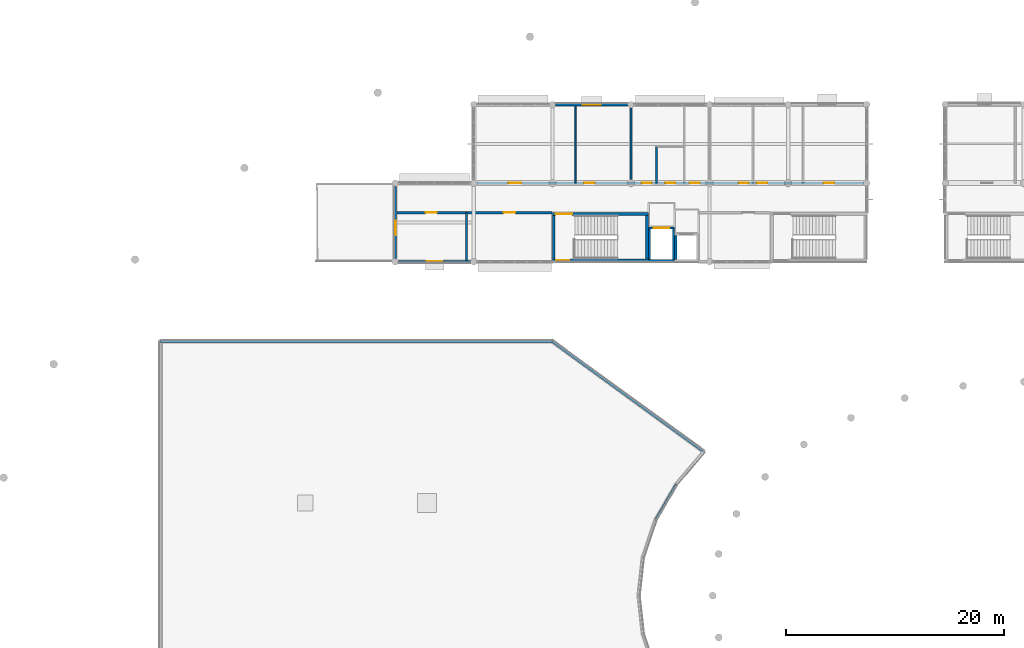
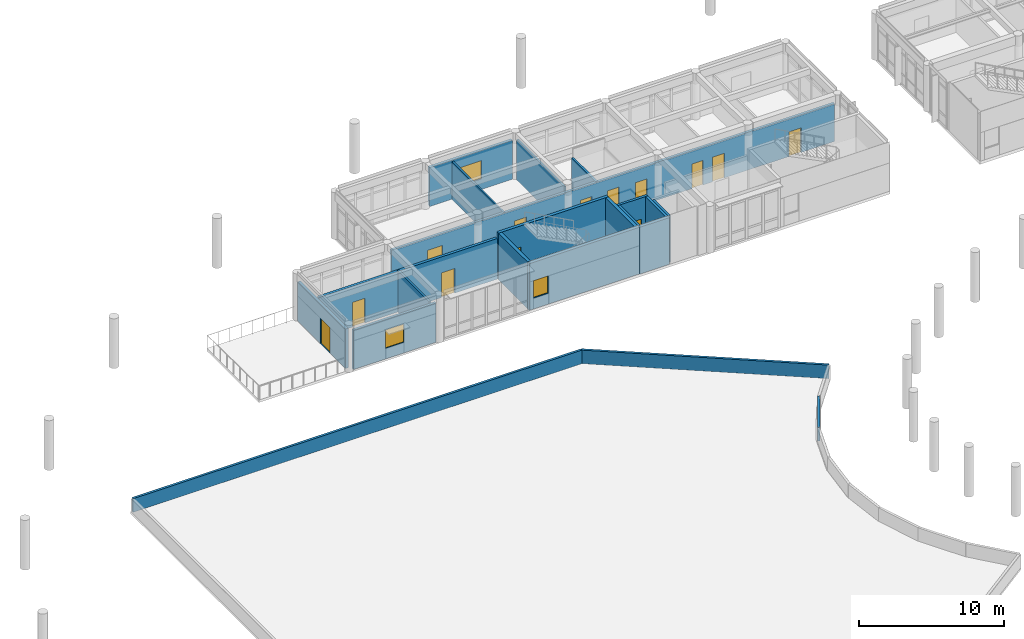
# One storey, part 26 of 55: 21 walls, 13 doors, 3 windows, 16 openings.
"""IFC4 building model written with IfcOpenShell, lengths in metres."""

from ifc_helpers import new_model, si_unit, direction, frame, frame_2d, origin, place, context, subcontext, project, spatial, rectangle, extrude, material, layer, layer_set, type_object, element, fill, save


model = new_model("IFC4")

# Units and contexts
model_context = context("Model", 3, precision=1e-05, world=origin(), true_north=direction((0.0, 1.0)))
body_context = subcontext(model_context, "Body", "Model", "MODEL_VIEW")
ifc_project = project(units=[si_unit("LENGTHUNIT", "METRE"), si_unit("AREAUNIT", "SQUARE_METRE"), si_unit("VOLUMEUNIT", "CUBIC_METRE"), si_unit("PLANEANGLEUNIT", "RADIAN"), si_unit("MASSUNIT", "GRAM", prefix="KILO")], contexts=[model_context])

# Site, building, storey
site_placement = place(None, origin())
site = spatial("IfcSite", under=ifc_project, at=site_placement, CompositionType="ELEMENT")
building_placement = place(site_placement, origin())
building = spatial("IfcBuilding", under=site, at=building_placement, Name="Namkhue Oval Health Centre", CompositionType="ELEMENT")
storey_placement = place(building_placement, frame((0.0, 0.0, 9.60009765625)))
storey = spatial("IfcBuildingStorey", under=building, at=storey_placement, Name="L02", CompositionType="ELEMENT", Elevation=9.60009765625)

# Wall, opening, window
ifc_material_1 = material(Name="Autoclaved aerated concrete blockwork M7.5", Category="masonry")
ifc_layer_1 = layer(ifc_material_1, 0.18994140625)
ifc_layer_set_1 = layer_set([ifc_layer_1], Name="Autoclaved aerated concrete blockwork M7.5")
wall_type_1 = type_object("IfcWallType", Name="EXTERIOR ENVELOPE WALL 190", PredefinedType="STANDARD", material=ifc_layer_set_1)
wall_1_placement = place(storey_placement, frame((43.4951171875, 90.0, 0.0), z_axis=(0.0, 0.0, 1.0), x_axis=(1.0, 0.0, 0.0)))
wall_1 = element("IfcWall", 1, at=wall_1_placement, inside=storey, type_object=wall_type_1, Name="Volume V2 L02 Exterior Envelope Wall 34", PredefinedType="STANDARD", context=body_context, shape_type="SweptSolid", body=[
    extrude(rectangle(XDim=6.60986328125, YDim=0.18994140625, at=frame_2d((3.304931640625, 0.0))), origin(), (0.0, 0.0, 1.0), 3.327880859375),
])
opening_1_placement = place(wall_1_placement, frame((2.580078125, 0.0, 0.89990234375)))
opening_1 = element("IfcOpeningElement", 2, at=opening_1_placement, cuts=wall_1, Name="Opening WN-24", PredefinedType="OPENING", context=body_context, shape_type="SweptSolid", body=[
    extrude(rectangle(XDim=1.449951171875, YDim=1.5400390625, at=frame_2d((0.72509765625, 0.77001953125))), frame((0.0, 0.10498046875, 0.0), z_axis=(0.0, -1.0, 0.0), x_axis=(1.0, 0.0, 0.0)), (0.0, 0.0, 1.0), 0.2099609375),
])
ifc_material_2 = material(Name="Thermally broken low-E laminated double glazing", Category="glass")
window_type_1 = type_object("IfcWindowType", Name="EXTERIOR WINDOW 1450X1540", PartitioningType="SINGLE_PANEL", PredefinedType="WINDOW", material=ifc_material_2)
window_1_placement = place(opening_1_placement, origin())
window_1 = element("IfcWindow", 3, at=window_1_placement, inside=storey, type_object=window_type_1, Name="Volume V2 L02 Exterior Window 24", OverallHeight=1.5400390625, OverallWidth=1.449951171875, PartitioningType="SINGLE_PANEL", PredefinedType="WINDOW", context=body_context, shape_type="SweptSolid", body=[
    extrude(rectangle(XDim=1.449951171875, YDim=1.5400390625, at=frame_2d((0.72509765625, 0.77001953125))), frame((0.0, 0.030029296875, 0.0), z_axis=(0.0, -1.0, 0.0), x_axis=(1.0, 0.0, 0.0)), (0.0, 0.0, 1.0), 0.06005859375),
])
fill(opening_1, window_1)

ifc_layer_2 = layer(ifc_material_1, 0.219970703125)
ifc_layer_set_2 = layer_set([ifc_layer_2], Name="Autoclaved aerated concrete blockwork M7.5")
wall_type_2 = type_object("IfcWallType", Name="EXTERIOR ENVELOPE WALL 220", PredefinedType="STANDARD", material=ifc_layer_set_2)
wall_2_placement = place(storey_placement, frame((64.5048828125, 104.39990234375, 0.0), z_axis=(0.0, 0.0, 1.0), x_axis=(-1.0, 0.0, 0.0)))
wall_2 = element("IfcWall", 4, at=wall_2_placement, inside=storey, type_object=wall_type_2, Name="Volume V2 L02 Exterior Envelope Wall 37", PredefinedType="STANDARD", context=body_context, shape_type="SweptSolid", body=[
    extrude(rectangle(XDim=6.60986328125, YDim=0.219970703125, at=frame_2d((3.304931640625, 0.0))), origin(), (0.0, 0.0, 1.0), 3.2998046875),
])
opening_2_placement = place(wall_2_placement, frame((2.47998046875, 0.0, 0.89990234375)))
opening_2 = element("IfcOpeningElement", 5, at=opening_2_placement, cuts=wall_2, Name="Opening WN-26", PredefinedType="OPENING", context=body_context, shape_type="SweptSolid", body=[
    extrude(rectangle(XDim=1.64990234375, YDim=1.5400390625, at=frame_2d((0.824951171875, 0.77001953125))), frame((0.0, 0.119873046875, 0.0), z_axis=(0.0, -1.0, 0.0), x_axis=(1.0, 0.0, 0.0)), (0.0, 0.0, 1.0), 0.239990234375),
])
window_type_2 = type_object("IfcWindowType", Name="EXTERIOR WINDOW 1650X1540", PartitioningType="SINGLE_PANEL", PredefinedType="WINDOW", material=ifc_material_2)
window_2_placement = place(opening_2_placement, origin())
window_2 = element("IfcWindow", 6, at=window_2_placement, inside=storey, type_object=window_type_2, Name="Volume V2 L02 Exterior Window 26", OverallHeight=1.5400390625, OverallWidth=1.64990234375, PartitioningType="SINGLE_PANEL", PredefinedType="WINDOW", context=body_context, shape_type="SweptSolid", body=[
    extrude(rectangle(XDim=1.64990234375, YDim=1.5400390625, at=frame_2d((0.824951171875, 0.77001953125))), frame((0.0, 0.030029296875, 0.0), z_axis=(0.0, -1.0, 0.0), x_axis=(1.0, 0.0, 0.0)), (0.0, 0.0, 1.0), 0.06005859375),
])
fill(opening_2, window_2)

# Wall, opening, door
ifc_layer_3 = layer(ifc_material_1, 0.22998046875)
ifc_layer_set_3 = layer_set([ifc_layer_3], Name="Autoclaved aerated concrete blockwork M7.5")
wall_type_3 = type_object("IfcWallType", Name="EXTERIOR ENVELOPE WALL 230", PredefinedType="STANDARD", material=ifc_layer_set_3)
wall_3_placement = place(storey_placement, frame((43.199951171875, 96.905029296875, 0.0), z_axis=(0.0, 0.0, 1.0), x_axis=(0.0, -1.0, 0.0)))
wall_3 = element("IfcWall", 7, at=wall_3_placement, inside=storey, type_object=wall_type_3, Name="Volume V2 L02 Exterior Envelope Wall 38", PredefinedType="STANDARD", context=body_context, shape_type="SweptSolid", body=[
    extrude(rectangle(XDim=6.610107421875, YDim=0.22998046875, at=frame_2d((3.30517578125, 0.0))), origin(), (0.0, 0.0, 1.0), 3.327880859375),
])
opening_3_placement = place(wall_3_placement, frame((3.125, 0.0, 0.0)))
opening_3 = element("IfcOpeningElement", 8, at=opening_3_placement, cuts=wall_3, Name="Opening TD-02", PredefinedType="OPENING", context=body_context, shape_type="SweptSolid", body=[
    extrude(rectangle(XDim=1.360107421875, YDim=2.159912109375, at=frame_2d((0.68017578125, 1.080078125))), frame((0.0, 0.125, 0.0), z_axis=(0.0, -1.0, 0.0), x_axis=(1.0, 0.0, 0.0)), (0.0, 0.0, 1.0), 0.25),
])
ifc_material_3 = material(Name="Anodised aluminium glazed entrance door", Category="aluminium")
door_type_1 = type_object("IfcDoorType", Name="TERRACE DOOR 1360X2160", OperationType="DOUBLE_DOOR_SINGLE_SWING", PredefinedType="DOOR", material=ifc_material_3)
door_1_placement = place(opening_3_placement, frame((1.360107421875, 0.0, 0.0), z_axis=(0.0, 0.0, 1.0), x_axis=(-1.0, 0.0, 0.0)))
door_1 = element("IfcDoor", 9, at=door_1_placement, inside=storey, type_object=door_type_1, Name="Volume V2 L02 Roof Terrace Door 2", OperationType="DOUBLE_DOOR_SINGLE_SWING", OverallHeight=2.159912109375, OverallWidth=1.360107421875, PredefinedType="DOOR", context=body_context, shape_type="SweptSolid", body=[
    extrude(rectangle(XDim=1.360107421875, YDim=2.159912109375, at=frame_2d((0.68017578125, 1.080078125))), frame((0.0, 0.02490234375, 0.0), z_axis=(0.0, -1.0, 0.0), x_axis=(1.0, 0.0, 0.0)), (0.0, 0.0, 1.0), 0.050048828125),
])
fill(opening_3, door_1)

# Wall, openings, doors
ifc_material_4 = material(Name="Gypsum plasterboard acoustic partition", Category="gypsum")
ifc_layer_4 = layer(ifc_material_4, 0.205078125)
ifc_layer_set_4 = layer_set([ifc_layer_4], Name="Gypsum plasterboard acoustic partition")
wall_type_4 = type_object("IfcWallType", Name="FIRE PARTITION WALL 205", PredefinedType="PARTITIONING", material=ifc_layer_set_4)
wall_4_placement = place(storey_placement, frame((50.699951171875, 97.199951171875, 0.0), z_axis=(0.0, 0.0, 1.0), x_axis=(1.0, 0.0, 0.0)))
wall_4 = element("IfcWall", 10, at=wall_4_placement, inside=storey, type_object=wall_type_4, Name="Volume V2 L02 Clinical Partition Wall 60", PredefinedType="PARTITIONING", context=body_context, shape_type="SweptSolid", body=[
    extrude(rectangle(XDim=35.400146484375, YDim=0.205078125, at=frame_2d((17.7001953125, 0.0))), origin(), (0.0, 0.0, 1.0), 3.199951171875),
])
opening_4_placement = place(wall_4_placement, frame((2.873046875, 0.0, 0.0)))
opening_4 = element("IfcOpeningElement", 11, at=opening_4_placement, cuts=wall_4, Name="Opening CD-18", PredefinedType="OPENING", context=body_context, shape_type="SweptSolid", body=[
    extrude(rectangle(XDim=1.179931640625, YDim=2.179931640625, at=frame_2d((0.58984375, 1.08984375))), frame((0.0, 0.112548828125, 0.0), z_axis=(0.0, -1.0, 0.0), x_axis=(1.0, 0.0, 0.0)), (0.0, 0.0, 1.0), 0.22509765625),
])
opening_5_placement = place(wall_4_placement, frame((9.81591796875, 0.0, 0.0)))
opening_5 = element("IfcOpeningElement", 12, at=opening_5_placement, cuts=wall_4, Name="Opening CD-19", PredefinedType="OPENING", context=body_context, shape_type="SweptSolid", body=[
    extrude(rectangle(XDim=0.9599609375, YDim=2.22998046875, at=frame_2d((0.47998046875, 1.114990234375))), frame((0.0, 0.112548828125, 0.0), z_axis=(0.0, -1.0, 0.0), x_axis=(1.0, 0.0, 0.0)), (0.0, 0.0, 1.0), 0.22509765625),
])
opening_6_placement = place(wall_4_placement, frame((15.090087890625, 0.0, 0.0)))
opening_6 = element("IfcOpeningElement", 13, at=opening_6_placement, cuts=wall_4, Name="Opening CD-07", PredefinedType="OPENING", context=body_context, shape_type="SweptSolid", body=[
    extrude(rectangle(XDim=0.89990234375, YDim=2.1298828125, at=frame_2d((0.449951171875, 1.06494140625))), frame((0.0, 0.112548828125, 0.0), z_axis=(0.0, -1.0, 0.0), x_axis=(1.0, 0.0, 0.0)), (0.0, 0.0, 1.0), 0.22509765625),
])
opening_7_placement = place(wall_4_placement, frame((17.25, 0.0, 0.0)))
opening_7 = element("IfcOpeningElement", 14, at=opening_7_placement, cuts=wall_4, Name="Opening CD-13", PredefinedType="OPENING", context=body_context, shape_type="SweptSolid", body=[
    extrude(rectangle(XDim=0.919921875, YDim=2.179931640625, at=frame_2d((0.4599609375, 1.08984375))), frame((0.0, 0.112548828125, 0.0), z_axis=(0.0, -1.0, 0.0), x_axis=(1.0, 0.0, 0.0)), (0.0, 0.0, 1.0), 0.22509765625),
])
opening_8_placement = place(wall_4_placement, frame((19.469970703125, 0.0, 0.0)))
opening_8 = element("IfcOpeningElement", 15, at=opening_8_placement, cuts=wall_4, Name="Opening CD-02", PredefinedType="OPENING", context=body_context, shape_type="SweptSolid", body=[
    extrude(rectangle(XDim=0.93994140625, YDim=2.080078125, at=frame_2d((0.469970703125, 1.0400390625))), frame((0.0, 0.112548828125, 0.0), z_axis=(0.0, -1.0, 0.0), x_axis=(1.0, 0.0, 0.0)), (0.0, 0.0, 1.0), 0.22509765625),
])
opening_9_placement = place(wall_4_placement, frame((23.987060546875, 0.0, 0.0)))
opening_9 = element("IfcOpeningElement", 16, at=opening_9_placement, cuts=wall_4, Name="Opening CD-01", PredefinedType="OPENING", context=body_context, shape_type="SweptSolid", body=[
    extrude(rectangle(XDim=0.89990234375, YDim=2.080078125, at=frame_2d((0.449951171875, 1.0400390625))), frame((0.0, 0.112548828125, 0.0), z_axis=(0.0, -1.0, 0.0), x_axis=(1.0, 0.0, 0.0)), (0.0, 0.0, 1.0), 0.22509765625),
])
opening_10_placement = place(wall_4_placement, frame((25.64697265625, 0.0, 0.0)))
opening_10 = element("IfcOpeningElement", 17, at=opening_10_placement, cuts=wall_4, Name="Opening CD-02", PredefinedType="OPENING", context=body_context, shape_type="SweptSolid", body=[
    extrude(rectangle(XDim=0.93994140625, YDim=2.080078125, at=frame_2d((0.469970703125, 1.0400390625))), frame((0.0, 0.112548828125, 0.0), z_axis=(0.0, -1.0, 0.0), x_axis=(1.0, 0.0, 0.0)), (0.0, 0.0, 1.0), 0.22509765625),
])
opening_11_placement = place(wall_4_placement, frame((31.7490234375, 0.0, 0.0)))
opening_11 = element("IfcOpeningElement", 18, at=opening_11_placement, cuts=wall_4, Name="Opening CD-03", PredefinedType="OPENING", context=body_context, shape_type="SweptSolid", body=[
    extrude(rectangle(XDim=0.97998046875, YDim=2.080078125, at=frame_2d((0.489990234375, 1.0400390625))), frame((0.0, 0.112548828125, 0.0), z_axis=(0.0, -1.0, 0.0), x_axis=(1.0, 0.0, 0.0)), (0.0, 0.0, 1.0), 0.22509765625),
])
ifc_material_5 = material(Name="High-pressure laminate timber clinical door", Category="wood")
door_type_2 = type_object("IfcDoorType", Name="CLINICAL DOOR 1180X2180", OperationType="NOTDEFINED", PredefinedType="DOOR", material=ifc_material_5)
door_2_placement = place(opening_4_placement, origin())
door_2 = element("IfcDoor", 19, at=door_2_placement, inside=storey, type_object=door_type_2, Name="Volume V2 L02 Chronic Disease Clinic Door 46", OperationType="SINGLE_SWING_RIGHT", OverallHeight=2.179931640625, OverallWidth=1.179931640625, PredefinedType="DOOR", context=body_context, shape_type="SweptSolid", body=[
    extrude(rectangle(XDim=1.179931640625, YDim=2.179931640625, at=frame_2d((0.58984375, 1.08984375))), frame((0.0, 0.02490234375, 0.0), z_axis=(0.0, -1.0, 0.0), x_axis=(1.0, 0.0, 0.0)), (0.0, 0.0, 1.0), 0.050048828125),
])
fill(opening_4, door_2)
door_type_3 = type_object("IfcDoorType", Name="CLINICAL DOOR 900X2080", OperationType="NOTDEFINED", PredefinedType="DOOR", material=ifc_material_5)
door_3_placement = place(opening_9_placement, origin())
door_3 = element("IfcDoor", 20, at=door_3_placement, inside=storey, type_object=door_type_3, Name="Volume V2 L02 Geriatric Examination Room Door 51", OperationType="SINGLE_SWING_LEFT", OverallHeight=2.080078125, OverallWidth=0.89990234375, PredefinedType="DOOR", context=body_context, shape_type="SweptSolid", body=[
    extrude(rectangle(XDim=0.89990234375, YDim=2.080078125, at=frame_2d((0.449951171875, 1.0400390625))), frame((0.0, 0.02490234375, 0.0), z_axis=(0.0, -1.0, 0.0), x_axis=(1.0, 0.0, 0.0)), (0.0, 0.0, 1.0), 0.050048828125),
])
fill(opening_9, door_3)
door_type_4 = type_object("IfcDoorType", Name="CLINICAL DOOR 900X2130", OperationType="NOTDEFINED", PredefinedType="DOOR", material=ifc_material_5)
door_4_placement = place(opening_6_placement, origin())
door_4 = element("IfcDoor", 21, at=door_4_placement, inside=storey, type_object=door_type_4, Name="Volume V2 L02 Soiled Sluice Utility Room Door 48", OperationType="SINGLE_SWING_RIGHT", OverallHeight=2.1298828125, OverallWidth=0.89990234375, PredefinedType="DOOR", context=body_context, shape_type="SweptSolid", body=[
    extrude(rectangle(XDim=0.89990234375, YDim=2.1298828125, at=frame_2d((0.449951171875, 1.06494140625))), frame((0.0, 0.02490234375, 0.0), z_axis=(0.0, -1.0, 0.0), x_axis=(1.0, 0.0, 0.0)), (0.0, 0.0, 1.0), 0.050048828125),
])
fill(opening_6, door_4)
door_type_5 = type_object("IfcDoorType", Name="CLINICAL DOOR 920X2180", OperationType="NOTDEFINED", PredefinedType="DOOR", material=ifc_material_5)
door_5_placement = place(opening_7_placement, origin())
door_5 = element("IfcDoor", 22, at=door_5_placement, inside=storey, type_object=door_type_5, Name="Volume V2 L02 Accessible WC Door 49", OperationType="SINGLE_SWING_LEFT", OverallHeight=2.179931640625, OverallWidth=0.919921875, PredefinedType="DOOR", context=body_context, shape_type="SweptSolid", body=[
    extrude(rectangle(XDim=0.919921875, YDim=2.179931640625, at=frame_2d((0.4599609375, 1.08984375))), frame((0.0, 0.02490234375, 0.0), z_axis=(0.0, -1.0, 0.0), x_axis=(1.0, 0.0, 0.0)), (0.0, 0.0, 1.0), 0.050048828125),
])
fill(opening_7, door_5)
door_type_6 = type_object("IfcDoorType", Name="CLINICAL DOOR 940X2080", OperationType="NOTDEFINED", PredefinedType="DOOR", material=ifc_material_5)
door_6_placement = place(opening_8_placement, origin())
door_6 = element("IfcDoor", 23, at=door_6_placement, inside=storey, type_object=door_type_6, Name="Volume V2 L02 Public Washroom Door 50", OperationType="SINGLE_SWING_LEFT", OverallHeight=2.080078125, OverallWidth=0.93994140625, PredefinedType="DOOR", context=body_context, shape_type="SweptSolid", body=[
    extrude(rectangle(XDim=0.93994140625, YDim=2.080078125, at=frame_2d((0.469970703125, 1.0400390625))), frame((0.0, 0.02490234375, 0.0), z_axis=(0.0, -1.0, 0.0), x_axis=(1.0, 0.0, 0.0)), (0.0, 0.0, 1.0), 0.050048828125),
])
fill(opening_8, door_6)
door_7_placement = place(opening_10_placement, origin())
door_7 = element("IfcDoor", 24, at=door_7_placement, inside=storey, type_object=door_type_6, Name="Volume V2 L02 Respiratory Function Clinic Door 52", OperationType="SINGLE_SWING_RIGHT", OverallHeight=2.080078125, OverallWidth=0.93994140625, PredefinedType="DOOR", context=body_context, shape_type="SweptSolid", body=[
    extrude(rectangle(XDim=0.93994140625, YDim=2.080078125, at=frame_2d((0.469970703125, 1.0400390625))), frame((0.0, 0.02490234375, 0.0), z_axis=(0.0, -1.0, 0.0), x_axis=(1.0, 0.0, 0.0)), (0.0, 0.0, 1.0), 0.050048828125),
])
fill(opening_10, door_7)
door_type_7 = type_object("IfcDoorType", Name="CLINICAL DOOR 960X2230", OperationType="NOTDEFINED", PredefinedType="DOOR", material=ifc_material_5)
door_8_placement = place(opening_5_placement, origin())
door_8 = element("IfcDoor", 25, at=door_8_placement, inside=storey, type_object=door_type_7, Name="Volume V2 L02 Clean Linen Store Door 47", OperationType="SINGLE_SWING_LEFT", OverallHeight=2.22998046875, OverallWidth=0.9599609375, PredefinedType="DOOR", context=body_context, shape_type="SweptSolid", body=[
    extrude(rectangle(XDim=0.9599609375, YDim=2.22998046875, at=frame_2d((0.47998046875, 1.114990234375))), frame((0.0, 0.02490234375, 0.0), z_axis=(0.0, -1.0, 0.0), x_axis=(1.0, 0.0, 0.0)), (0.0, 0.0, 1.0), 0.050048828125),
])
fill(opening_5, door_8)
door_type_8 = type_object("IfcDoorType", Name="CLINICAL DOOR 980X2080", OperationType="NOTDEFINED", PredefinedType="DOOR", material=ifc_material_5)
door_9_placement = place(opening_11_placement, origin())
door_9 = element("IfcDoor", 26, at=door_9_placement, inside=storey, type_object=door_type_8, Name="Volume V2 L02 Minor Treatment Procedure Room Door 53", OperationType="SINGLE_SWING_LEFT", OverallHeight=2.080078125, OverallWidth=0.97998046875, PredefinedType="DOOR", context=body_context, shape_type="SweptSolid", body=[
    extrude(rectangle(XDim=0.97998046875, YDim=2.080078125, at=frame_2d((0.489990234375, 1.0400390625))), frame((0.0, 0.02490234375, 0.0), z_axis=(0.0, -1.0, 0.0), x_axis=(1.0, 0.0, 0.0)), (0.0, 0.0, 1.0), 0.050048828125),
])
fill(opening_11, door_9)

ifc_material_6 = material(Name="Lead-lined barium plasterboard radiation partition", Category="gypsum")
ifc_layer_5 = layer(ifc_material_6, 0.22509765625)
ifc_layer_set_5 = layer_set([ifc_layer_5], Name="Lead-lined barium plasterboard radiation partition")
wall_type_5 = type_object("IfcWallType", Name="FIRE PARTITION WALL 225", PredefinedType="PARTITIONING", material=ifc_layer_set_5)
wall_5_placement = place(storey_placement, frame((43.3369140625, 94.5, 0.0), z_axis=(0.0, 0.0, 1.0), x_axis=(1.0, 0.0, 0.0)))
wall_5 = element("IfcWall", 27, at=wall_5_placement, inside=storey, type_object=wall_type_5, Name="Volume V2 L02 Clinical Partition Wall 69", PredefinedType="PARTITIONING", context=body_context, shape_type="SweptSolid", body=[
    extrude(rectangle(XDim=14.2431640625, YDim=0.22509765625, at=frame_2d((7.12158203125, 0.0))), origin(), (0.0, 0.0, 1.0), 3.427978515625),
])
opening_12_placement = place(wall_5_placement, frame((2.655029296875, 0.0, 0.0)))
opening_12 = element("IfcOpeningElement", 28, at=opening_12_placement, cuts=wall_5, Name="Opening CD-04", PredefinedType="OPENING", context=body_context, shape_type="SweptSolid", body=[
    extrude(rectangle(XDim=1.02001953125, YDim=2.080078125, at=frame_2d((0.510009765625, 1.0400390625))), frame((0.0, 0.12255859375, 0.0), z_axis=(0.0, -1.0, 0.0), x_axis=(1.0, 0.0, 0.0)), (0.0, 0.0, 1.0), 0.2451171875),
])
opening_13_placement = place(wall_5_placement, frame((9.782958984375, 0.0, 0.0)))
opening_13 = element("IfcOpeningElement", 29, at=opening_13_placement, cuts=wall_5, Name="Opening CD-05", PredefinedType="OPENING", context=body_context, shape_type="SweptSolid", body=[
    extrude(rectangle(XDim=1.06005859375, YDim=2.080078125, at=frame_2d((0.530029296875, 1.0400390625))), frame((0.0, 0.12255859375, 0.0), z_axis=(0.0, -1.0, 0.0), x_axis=(1.0, 0.0, 0.0)), (0.0, 0.0, 1.0), 0.2451171875),
])
door_type_9 = type_object("IfcDoorType", Name="CLINICAL DOOR 1020X2080", OperationType="NOTDEFINED", PredefinedType="DOOR", material=ifc_material_5)
door_10_placement = place(opening_12_placement, frame((1.02001953125, 0.0, 0.0), z_axis=(0.0, 0.0, 1.0), x_axis=(-1.0, 0.0, 0.0)))
door_10 = element("IfcDoor", 30, at=door_10_placement, inside=storey, type_object=door_type_9, Name="Volume V2 L02 Courtyard Terrace Patient Lounge Door 54", OperationType="SINGLE_SWING_RIGHT", OverallHeight=2.080078125, OverallWidth=1.02001953125, PredefinedType="DOOR", context=body_context, shape_type="SweptSolid", body=[
    extrude(rectangle(XDim=1.02001953125, YDim=2.080078125, at=frame_2d((0.510009765625, 1.0400390625))), frame((0.0, 0.02490234375, 0.0), z_axis=(0.0, -1.0, 0.0), x_axis=(1.0, 0.0, 0.0)), (0.0, 0.0, 1.0), 0.050048828125),
])
fill(opening_12, door_10)
door_type_10 = type_object("IfcDoorType", Name="CLINICAL DOOR 1060X2080", OperationType="NOTDEFINED", PredefinedType="DOOR", material=ifc_material_5)
door_11_placement = place(opening_13_placement, frame((1.06005859375, 0.0, 0.0), z_axis=(0.0, 0.0, 1.0), x_axis=(-1.0, 0.0, 0.0)))
door_11 = element("IfcDoor", 31, at=door_11_placement, inside=storey, type_object=door_type_10, Name="Volume V2 L02 Diabetes Care Consultation Room Door 55", OperationType="SINGLE_SWING_LEFT", OverallHeight=2.080078125, OverallWidth=1.06005859375, PredefinedType="DOOR", context=body_context, shape_type="SweptSolid", body=[
    extrude(rectangle(XDim=1.06005859375, YDim=2.080078125, at=frame_2d((0.530029296875, 1.0400390625))), frame((0.0, 0.02490234375, 0.0), z_axis=(0.0, -1.0, 0.0), x_axis=(1.0, 0.0, 0.0)), (0.0, 0.0, 1.0), 0.050048828125),
])
fill(opening_13, door_11)

# Walls
ifc_layer_6 = layer(ifc_material_4, 0.139892578125)
ifc_layer_set_6 = layer_set([ifc_layer_6], Name="Gypsum plasterboard acoustic partition")
wall_type_6 = type_object("IfcWallType", Name="INTERIOR PARTITION WALL 140", PredefinedType="PARTITIONING", material=ifc_layer_set_6)
wall_6_placement = place(storey_placement, frame((59.73291015625, 97.199951171875, 0.0), z_axis=(0.0, 0.0, 1.0), x_axis=(0.0, 1.0, 0.0)))
element("IfcWall", 32, at=wall_6_placement, inside=storey, type_object=wall_type_6, Name="Volume V2 L02 Clinical Partition Wall 61", PredefinedType="PARTITIONING", context=body_context, shape_type="SweptSolid", body=[
    extrude(rectangle(XDim=7.068115234375, YDim=0.139892578125, at=frame_2d((3.5341796875, 0.0))), origin(), (0.0, 0.0, 1.0), 3.199951171875),
])
ifc_layer_7 = layer(ifc_material_4, 0.14990234375)
ifc_layer_set_7 = layer_set([ifc_layer_7], Name="Gypsum plasterboard acoustic partition")
wall_type_7 = type_object("IfcWallType", Name="INTERIOR PARTITION WALL 150", PredefinedType="PARTITIONING", material=ifc_layer_set_7)
wall_7_placement = place(storey_placement, frame((64.800048828125, 97.52490234375, 0.0), z_axis=(0.0, 0.0, 1.0), x_axis=(0.0, 1.0, 0.0)))
element("IfcWall", 33, at=wall_7_placement, inside=storey, type_object=wall_type_7, Name="Volume V2 L02 Clinical Partition Wall 62", PredefinedType="PARTITIONING", context=body_context, shape_type="SweptSolid", body=[
    extrude(rectangle(XDim=6.5751953125, YDim=0.14990234375, at=frame_2d((3.28759765625, 0.0))), origin(), (0.0, 0.0, 1.0), 3.39990234375),
])
ifc_layer_8 = layer(ifc_material_4, 0.159912109375)
ifc_layer_set_8 = layer_set([ifc_layer_8], Name="Gypsum plasterboard acoustic partition")
wall_type_8 = type_object("IfcWallType", Name="INTERIOR PARTITION WALL 160", PredefinedType="PARTITIONING", material=ifc_layer_set_8)
wall_8_placement = place(storey_placement, frame((67.139892578125, 97.199951171875, 0.0), z_axis=(0.0, 0.0, 1.0), x_axis=(0.0, 1.0, 0.0)))
element("IfcWall", 34, at=wall_8_placement, inside=storey, type_object=wall_type_8, Name="Volume V2 L02 Clinical Partition Wall 63", PredefinedType="PARTITIONING", context=body_context, shape_type="SweptSolid", body=[
    extrude(rectangle(XDim=3.320068359375, YDim=0.159912109375, at=frame_2d((1.66015625, 0.0))), origin(), (0.0, 0.0, 1.0), 3.199951171875),
])
wall_9_placement = place(storey_placement, frame((49.719970703125, 90.116943359375, 0.0), z_axis=(0.0, 0.0, 1.0), x_axis=(0.0, 1.0, 0.0)))
element("IfcWall", 35, at=wall_9_placement, inside=storey, type_object=wall_type_8, Name="Volume V2 L02 Clinical Partition Wall 70", PredefinedType="PARTITIONING", context=body_context, shape_type="SweptSolid", body=[
    extrude(rectangle(XDim=4.383056640625, YDim=0.159912109375, at=frame_2d((2.19140625, 0.0))), origin(), (0.0, 0.0, 1.0), 3.477783203125),
])
ifc_material_7 = material(Name="Precast architectural concrete C35/45 (TCVN B40)", Category="concrete")
ifc_layer_9 = layer(ifc_material_7, 0.18505859375)
ifc_layer_set_9 = layer_set([ifc_layer_9], Name="Precast architectural concrete C35/45 (TCVN B40)")
wall_type_9 = type_object("IfcWallType", Name="ROOF PARAPET WALL 185", PredefinedType="PARAPET", material=ifc_layer_set_9)
wall_10_placement = place(storey_placement, frame((21.6923828125, 82.70751953125, 0.0), z_axis=(0.0, 0.0, 1.0), x_axis=(1.0, 0.0, 0.0)))
element("IfcWall", 36, at=wall_10_placement, inside=storey, type_object=wall_type_9, Name="Volume V1 L02 Roof Parapet Wall 2", PredefinedType="PARAPET", context=body_context, shape_type="SweptSolid", body=[
    extrude(rectangle(XDim=35.87744140625, YDim=0.18505859375, at=frame_2d((17.938720703125, 0.0))), origin(), (0.0, 0.0, 1.0), 1.14990234375),
])
wall_11_placement = place(storey_placement, frame((57.56982421875, 82.70751953125, 0.0), z_axis=(0.0, 0.0, 1.0), x_axis=(0.808518844956, -0.588470285869, 0.0)))
element("IfcWall", 37, at=wall_11_placement, inside=storey, type_object=wall_type_9, Name="Volume V1 L02 Roof Parapet Wall 3", PredefinedType="PARAPET", context=body_context, shape_type="SweptSolid", body=[
    extrude(rectangle(XDim=17.2080078125, YDim=0.18505859375, at=frame_2d((8.60400390625, 0.0))), origin(), (0.0, 0.0, 1.0), 1.14990234375),
])
wall_12_placement = place(storey_placement, frame((68.953125, 69.613525390625, 0.0), z_axis=(0.0, 0.0, 1.0), x_axis=(-0.50178081187, -0.864994807406, 0.0)))
element("IfcWall", 38, at=wall_12_placement, inside=storey, type_object=wall_type_9, Name="Volume V1 L02 Roof Parapet Wall 5", PredefinedType="PARAPET", context=body_context, shape_type="SweptSolid", body=[
    extrude(rectangle(XDim=3.786376953125, YDim=0.18505859375, at=frame_2d((1.89306640625, 0.0))), origin(), (0.0, 0.0, 1.0), 1.14990234375),
])

# Wall, opening, window
ifc_material_8 = material(Name="Reinforced concrete C35/45 (TCVN B40)", Category="concrete")
ifc_layer_10 = layer(ifc_material_8, 0.25)
ifc_layer_set_10 = layer_set([ifc_layer_10], Name="Reinforced concrete C35/45 (TCVN B40)")
wall_type_10 = type_object("IfcWallType", Name="SHEAR CORE WALL EXT 250", PredefinedType="SHEAR", material=ifc_layer_set_10)
wall_13_placement = place(storey_placement, frame((57.60009765625, 90.125, 0.0), z_axis=(0.0, 0.0, 1.0), x_axis=(1.0, 0.0, 0.0)))
wall_13 = element("IfcWall", 39, at=wall_13_placement, inside=storey, type_object=wall_type_10, Name="Core SC-03 L02 Shear Wall S", PredefinedType="SHEAR", context=body_context, shape_type="SweptSolid", body=[
    extrude(rectangle(XDim=8.7998046875, YDim=0.25, at=frame_2d((4.39990234375, 0.0))), origin(), (0.0, 0.0, 1.0), 3.949951171875),
])
opening_14_placement = place(wall_13_placement, frame((0.35009765625, 0.0, 0.919921875)))
opening_14 = element("IfcOpeningElement", 40, at=opening_14_placement, cuts=wall_13, Name="Opening SWN-01", PredefinedType="OPENING", context=body_context, shape_type="SweptSolid", body=[
    extrude(rectangle(XDim=1.179931640625, YDim=1.47998046875, at=frame_2d((0.58984375, 0.739990234375))), frame((0.0, 0.135009765625, 0.0), z_axis=(0.0, -1.0, 0.0), x_axis=(1.0, 0.0, 0.0)), (0.0, 0.0, 1.0), 0.27001953125),
])
ifc_material_9 = material(Name="Fire-rated insulated safety double glazing", Category="glass")
window_type_3 = type_object("IfcWindowType", Name="EXTERIOR WINDOW STAIRWELL 1180X1480", PartitioningType="SINGLE_PANEL", PredefinedType="WINDOW", material=ifc_material_9)
window_3_placement = place(opening_14_placement, origin())
window_3 = element("IfcWindow", 41, at=window_3_placement, inside=storey, type_object=window_type_3, Name="Stair ST-03 L02 Stairwell Daylight Window", OverallHeight=1.47998046875, OverallWidth=1.179931640625, PartitioningType="SINGLE_PANEL", PredefinedType="WINDOW", context=body_context, shape_type="SweptSolid", body=[
    extrude(rectangle(XDim=1.179931640625, YDim=1.47998046875, at=frame_2d((0.58984375, 0.739990234375))), frame((0.0, 0.030029296875, 0.0), z_axis=(0.0, -1.0, 0.0), x_axis=(1.0, 0.0, 0.0)), (0.0, 0.0, 1.0), 0.06005859375),
])
fill(opening_14, window_3)

# Walls
wall_14_placement = place(storey_placement, frame((66.39990234375, 90.10009765625, 0.0), z_axis=(0.0, 0.0, 1.0), x_axis=(1.0, 0.0, 0.0)))
element("IfcWall", 42, at=wall_14_placement, inside=storey, type_object=wall_type_10, Name="Lift LF-01 L02 Shaft Wall S", PredefinedType="SHEAR", context=body_context, shape_type="SweptSolid", body=[
    extrude(rectangle(XDim=2.400146484375, YDim=0.25, at=frame_2d((1.2001953125, 0.0))), origin(), (0.0, 0.0, 1.0), 3.949951171875),
])
ifc_layer_11 = layer(ifc_material_8, 0.199951171875)
ifc_layer_set_11 = layer_set([ifc_layer_11], Name="Reinforced concrete C35/45 (TCVN B40)")
wall_type_11 = type_object("IfcWallType", Name="SHEAR CORE WALL INT 200", PredefinedType="SHEAR", material=ifc_layer_set_11)
wall_15_placement = place(storey_placement, frame((68.699951171875, 90.199951171875, 0.0), z_axis=(0.0, 0.0, 1.0), x_axis=(0.0, 1.0, 0.0)))
element("IfcWall", 43, at=wall_15_placement, inside=storey, type_object=wall_type_11, Name="Lift LF-01 L02 Shaft Wall E", PredefinedType="SHEAR", context=body_context, shape_type="SweptSolid", body=[
    extrude(rectangle(XDim=2.800048828125, YDim=0.199951171875, at=frame_2d((1.39990234375, 0.0))), origin(), (0.0, 0.0, 1.0), 3.949951171875),
])

# Wall, opening, door
wall_16_placement = place(storey_placement, frame((68.800048828125, 93.10009765625, 0.0), z_axis=(0.0, 0.0, 1.0), x_axis=(-1.0, 0.0, 0.0)))
wall_16 = element("IfcWall", 44, at=wall_16_placement, inside=storey, type_object=wall_type_11, Name="Lift LF-01 L02 Shaft Wall N", PredefinedType="SHEAR", context=body_context, shape_type="SweptSolid", body=[
    extrude(rectangle(XDim=2.400146484375, YDim=0.199951171875, at=frame_2d((1.2001953125, 0.0))), origin(), (0.0, 0.0, 1.0), 3.949951171875),
])
opening_15_placement = place(wall_16_placement, frame((0.5, 0.0, 0.0)))
opening_15 = element("IfcOpeningElement", 45, at=opening_15_placement, cuts=wall_16, Name="Opening LD-01", PredefinedType="OPENING", context=body_context, shape_type="SweptSolid", body=[
    extrude(rectangle(XDim=1.39990234375, YDim=2.14990234375, at=frame_2d((0.699951171875, 1.074951171875))), frame((0.0, 0.10986328125, 0.0), z_axis=(0.0, -1.0, 0.0), x_axis=(1.0, 0.0, 0.0)), (0.0, 0.0, 1.0), 0.219970703125),
])
ifc_material_10 = material(Name="Powder-coated steel fire door assembly", Category="steel")
door_type_11 = type_object("IfcDoorType", Name="LIFT LANDING DOOR STRETCHER 1400X2150", OperationType="DOUBLE_DOOR_SLIDING", PredefinedType="DOOR", material=ifc_material_10)
door_12_placement = place(opening_15_placement, frame((1.39990234375, 0.0, 0.0), z_axis=(0.0, 0.0, 1.0), x_axis=(-1.0, 0.0, 0.0)))
door_12 = element("IfcDoor", 46, at=door_12_placement, inside=storey, type_object=door_type_11, Name="Lift LF-01 L02 Sliding Landing Door", OperationType="DOUBLE_DOOR_SLIDING", OverallHeight=2.14990234375, OverallWidth=1.39990234375, PredefinedType="DOOR", context=body_context, shape_type="SweptSolid", body=[
    extrude(rectangle(XDim=1.39990234375, YDim=2.14990234375, at=frame_2d((0.699951171875, 1.074951171875))), frame((0.0, 0.02490234375, 0.0), z_axis=(0.0, -1.0, 0.0), x_axis=(1.0, 0.0, 0.0)), (0.0, 0.0, 1.0), 0.050048828125),
])
fill(opening_15, door_12)

# Walls
wall_17_placement = place(storey_placement, frame((66.5, 93.0, 0.0), z_axis=(0.0, 0.0, 1.0), x_axis=(0.0, -1.0, 0.0)))
element("IfcWall", 47, at=wall_17_placement, inside=storey, type_object=wall_type_11, Name="Lift LF-01 L02 Shaft Wall W", PredefinedType="SHEAR", context=body_context, shape_type="SweptSolid", body=[
    extrude(rectangle(XDim=2.800048828125, YDim=0.199951171875, at=frame_2d((1.39990234375, 0.0))), origin(), (0.0, 0.0, 1.0), 3.949951171875),
])
wall_18_placement = place(storey_placement, frame((68.89990234375, 92.39990234375, 0.0), z_axis=(0.0, 0.0, 1.0), x_axis=(0.0, -1.0, 0.0)))
element("IfcWall", 48, at=wall_18_placement, inside=storey, type_object=wall_type_11, Name="Lift LF-02 L02 Shaft Wall W", PredefinedType="SHEAR", context=body_context, shape_type="SweptSolid", body=[
    extrude(rectangle(XDim=2.199951171875, YDim=0.199951171875, at=frame_2d((1.10009765625, 0.0))), origin(), (0.0, 0.0, 1.0), 3.949951171875),
])
ifc_layer_12 = layer(ifc_material_8, 0.25)
ifc_layer_set_12 = layer_set([ifc_layer_12], Name="Reinforced concrete C35/45 (TCVN B40)")
wall_type_12 = type_object("IfcWallType", Name="SHEAR CORE WALL INT 250", PredefinedType="SHEAR", material=ifc_layer_set_12)
wall_19_placement = place(storey_placement, frame((66.27490234375, 90.25, 0.0), z_axis=(0.0, 0.0, 1.0), x_axis=(0.0, 1.0, 0.0)))
element("IfcWall", 49, at=wall_19_placement, inside=storey, type_object=wall_type_12, Name="Core SC-03 L02 Shear Wall E", PredefinedType="SHEAR", context=body_context, shape_type="SweptSolid", body=[
    extrude(rectangle(XDim=4.0, YDim=0.25, at=frame_2d((2.0, 0.0))), origin(), (0.0, 0.0, 1.0), 3.949951171875),
])

# Wall, opening, door
wall_20_placement = place(storey_placement, frame((66.39990234375, 94.375, 0.0), z_axis=(0.0, 0.0, 1.0), x_axis=(-1.0, 0.0, 0.0)))
wall_20 = element("IfcWall", 50, at=wall_20_placement, inside=storey, type_object=wall_type_12, Name="Core SC-03 L02 Shear Wall N", PredefinedType="SHEAR", context=body_context, shape_type="SweptSolid", body=[
    extrude(rectangle(XDim=8.7998046875, YDim=0.25, at=frame_2d((4.39990234375, 0.0))), origin(), (0.0, 0.0, 1.0), 3.949951171875),
])
opening_16_placement = place(wall_20_placement, frame((7.0, 0.0, 0.0)))
opening_16 = element("IfcOpeningElement", 51, at=opening_16_placement, cuts=wall_20, Name="Opening SD-I1", PredefinedType="OPENING", context=body_context, shape_type="SweptSolid", body=[
    extrude(rectangle(XDim=1.5, YDim=2.14990234375, at=frame_2d((0.75, 1.074951171875))), frame((0.0, 0.135009765625, 0.0), z_axis=(0.0, -1.0, 0.0), x_axis=(1.0, 0.0, 0.0)), (0.0, 0.0, 1.0), 0.27001953125),
])
door_type_12 = type_object("IfcDoorType", Name="CLINICAL DOOR STAIR CORE 1500X2150", OperationType="DOUBLE_DOOR_SINGLE_SWING", PredefinedType="DOOR", material=ifc_material_10)
door_13_placement = place(opening_16_placement, origin())
door_13 = element("IfcDoor", 52, at=door_13_placement, inside=storey, type_object=door_type_12, Name="Stair ST-03 L02 Stair Enclosure Fire Door", OperationType="DOUBLE_DOOR_SINGLE_SWING", OverallHeight=2.14990234375, OverallWidth=1.5, PredefinedType="DOOR", context=body_context, shape_type="SweptSolid", body=[
    extrude(rectangle(XDim=1.5, YDim=2.14990234375, at=frame_2d((0.75, 1.074951171875))), frame((0.0, 0.02490234375, 0.0), z_axis=(0.0, -1.0, 0.0), x_axis=(1.0, 0.0, 0.0)), (0.0, 0.0, 1.0), 0.050048828125),
])
fill(opening_16, door_13)

# Wall
wall_21_placement = place(storey_placement, frame((57.72509765625, 94.25, 0.0), z_axis=(0.0, 0.0, 1.0), x_axis=(0.0, -1.0, 0.0)))
element("IfcWall", 53, at=wall_21_placement, inside=storey, type_object=wall_type_12, Name="Core SC-03 L02 Shear Wall W", PredefinedType="SHEAR", context=body_context, shape_type="SweptSolid", body=[
    extrude(rectangle(XDim=4.0, YDim=0.25, at=frame_2d((2.0, 0.0))), origin(), (0.0, 0.0, 1.0), 3.949951171875),
])

save(model, "model.ifc")
